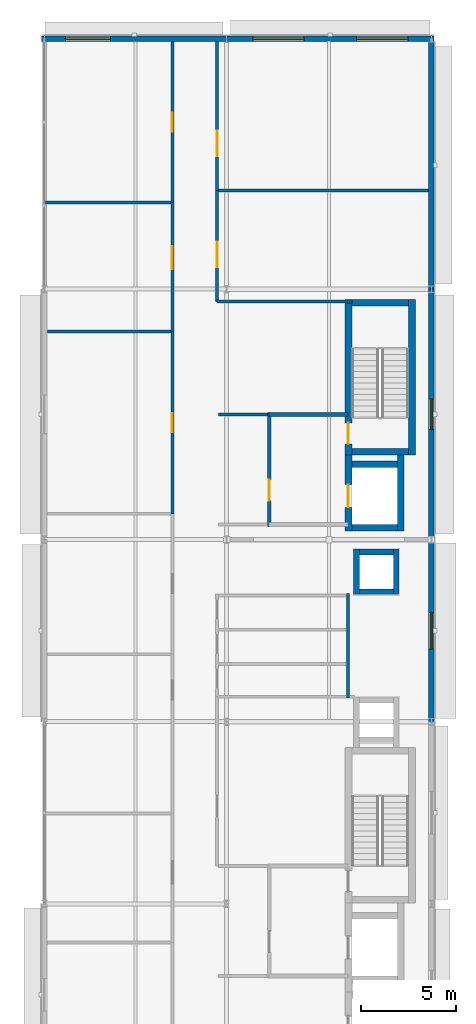
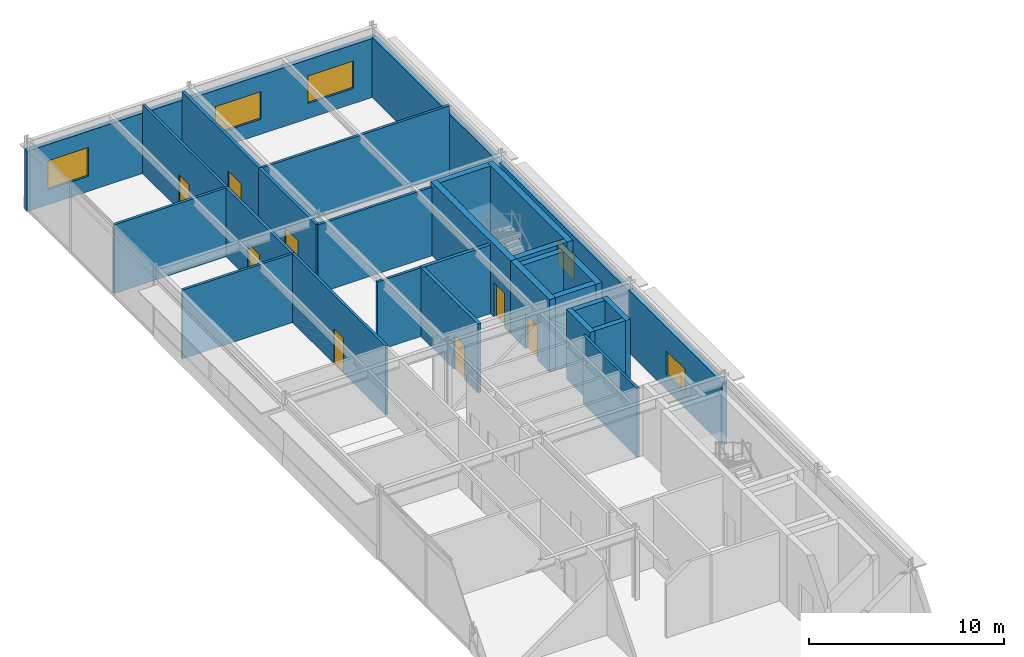
# One storey, part 13 of 17: 30 walls, 8 doors, 5 windows, 13 openings.
"""IFC4 building model written with IfcOpenShell, lengths in metres."""

from ifc_helpers import new_model, si_unit, direction, frame, frame_2d, origin, place, context, subcontext, project, spatial, rectangle, extrude, material, layer, layer_set, type_object, element, fill, save


model = new_model("IFC4")

# Units and contexts
model_context = context("Model", 3, precision=1e-05, world=origin(), true_north=direction((0.0, 1.0)))
body_context = subcontext(model_context, "Body", "Model", "MODEL_VIEW")
ifc_project = project(units=[si_unit("LENGTHUNIT", "METRE"), si_unit("AREAUNIT", "SQUARE_METRE"), si_unit("VOLUMEUNIT", "CUBIC_METRE"), si_unit("PLANEANGLEUNIT", "RADIAN"), si_unit("MASSUNIT", "GRAM", prefix="KILO")], contexts=[model_context])

# Site, building, storey
site_placement = place(None, origin())
site = spatial("IfcSite", under=ifc_project, at=site_placement, CompositionType="ELEMENT")
building_placement = place(site_placement, origin())
building = spatial("IfcBuilding", under=site, at=building_placement, Name="Almandine Court Research Institute", CompositionType="ELEMENT")
storey_placement = place(building_placement, frame((0.0, 0.0, 32.550048828125)))
storey = spatial("IfcBuildingStorey", under=building, at=storey_placement, Name="L07", CompositionType="ELEMENT", Elevation=32.550048828125)

# Wall, opening, window
ifc_material_1 = material(Name="Insulated Ochre Terracotta Rainscreen Wall", Category="masonry")
ifc_layer_1 = layer(ifc_material_1, 0.2900390625)
ifc_layer_set_1 = layer_set([ifc_layer_1], Name="Insulated Ochre Terracotta Rainscreen Wall")
wall_type_1 = type_object("IfcWallType", Name="Wall-EXT-TERR-290", PredefinedType="SOLIDWALL", material=ifc_layer_set_1)
wall_1_placement = place(storey_placement, frame((153.455078125, 70.800048828125, 0.0), z_axis=(0.0, 0.0, 1.0), x_axis=(1.0, 0.0, 0.0)))
wall_1 = element("IfcWall", 1, at=wall_1_placement, inside=storey, type_object=wall_type_1, Name="L07 Wet Lab North Wall 1", PredefinedType="SOLIDWALL", context=body_context, shape_type="SweptSolid", body=[
    extrude(rectangle(XDim=9.740966796875, YDim=0.2900390625, at=frame_2d((4.87060546875, 0.0))), origin(), (0.0, 0.0, 1.0), 3.762939453125),
])
opening_1_placement = place(wall_1_placement, frame((1.25, 0.0, 0.949951171875)))
opening_1 = element("IfcOpeningElement", 2, at=opening_1_placement, cuts=wall_1, Name="Opening WN-89", PredefinedType="OPENING", context=body_context, shape_type="SweptSolid", body=[
    extrude(rectangle(XDim=2.3701171875, YDim=1.800048828125, at=frame_2d((1.18505859375, 0.89990234375))), frame((0.0, 0.155029296875, 0.0), z_axis=(0.0, -1.0, 0.0), x_axis=(1.0, 0.0, 0.0)), (0.0, 0.0, 1.0), 0.31005859375),
])
ifc_material_2 = material(Name="Thermally Broken Low-E Double-Glazed Window", Category="glass")
window_type_1 = type_object("IfcWindowType", Name="Win-WN-89-2370x1800", PartitioningType="SINGLE_PANEL", PredefinedType="WINDOW", material=ifc_material_2)
window_1_placement = place(opening_1_placement, origin())
window_1 = element("IfcWindow", 3, at=window_1_placement, inside=storey, type_object=window_type_1, Name="L07 Modular Recessed Low-E Window 173", OverallHeight=1.800048828125, OverallWidth=2.3701171875, PartitioningType="SINGLE_PANEL", PredefinedType="WINDOW", context=body_context, shape_type="SweptSolid", body=[
    extrude(rectangle(XDim=2.3701171875, YDim=1.800048828125, at=frame_2d((1.18505859375, 0.89990234375))), frame((0.0, 0.030029296875, 0.0), z_axis=(0.0, -1.0, 0.0), x_axis=(1.0, 0.0, 0.0)), (0.0, 0.0, 1.0), 0.06005859375),
])
fill(opening_1, window_1)

# Wall, openings, windows
wall_2_placement = place(storey_placement, frame((163.2041015625, 70.800048828125, 0.0), z_axis=(0.0, 0.0, 1.0), x_axis=(1.0, 0.0, 0.0)))
wall_2 = element("IfcWall", 4, at=wall_2_placement, inside=storey, type_object=wall_type_1, Name="L07 Wet Lab North Wall 2", PredefinedType="SOLIDWALL", context=body_context, shape_type="SweptSolid", body=[
    extrude(rectangle(XDim=10.94091796875, YDim=0.2900390625, at=frame_2d((5.470458984375, 0.0))), origin(), (0.0, 0.0, 1.0), 3.68505859375),
])
opening_2_placement = place(wall_2_placement, frame((1.385009765625, 0.0, 0.949951171875)))
opening_2 = element("IfcOpeningElement", 5, at=opening_2_placement, cuts=wall_2, Name="Opening WN-77", PredefinedType="OPENING", context=body_context, shape_type="SweptSolid", body=[
    extrude(rectangle(XDim=2.699951171875, YDim=1.719970703125, at=frame_2d((1.35009765625, 0.85986328125))), frame((0.0, 0.155029296875, 0.0), z_axis=(0.0, -1.0, 0.0), x_axis=(1.0, 0.0, 0.0)), (0.0, 0.0, 1.0), 0.31005859375),
])
opening_3_placement = place(wall_2_placement, frame((6.85595703125, 0.0, 0.949951171875)))
opening_3 = element("IfcOpeningElement", 6, at=opening_3_placement, cuts=wall_2, Name="Opening WN-77", PredefinedType="OPENING", context=body_context, shape_type="SweptSolid", body=[
    extrude(rectangle(XDim=2.699951171875, YDim=1.719970703125, at=frame_2d((1.35009765625, 0.85986328125))), frame((0.0, 0.155029296875, 0.0), z_axis=(0.0, -1.0, 0.0), x_axis=(1.0, 0.0, 0.0)), (0.0, 0.0, 1.0), 0.31005859375),
])
window_type_2 = type_object("IfcWindowType", Name="Win-WN-77-2700x1720", PartitioningType="SINGLE_PANEL", PredefinedType="WINDOW", material=ifc_material_2)
window_2_placement = place(opening_2_placement, origin())
window_2 = element("IfcWindow", 7, at=window_2_placement, inside=storey, type_object=window_type_2, Name="L07 Modular Recessed Low-E Window 174", OverallHeight=1.719970703125, OverallWidth=2.699951171875, PartitioningType="SINGLE_PANEL", PredefinedType="WINDOW", context=body_context, shape_type="SweptSolid", body=[
    extrude(rectangle(XDim=2.699951171875, YDim=1.719970703125, at=frame_2d((1.35009765625, 0.85986328125))), frame((0.0, 0.030029296875, 0.0), z_axis=(0.0, -1.0, 0.0), x_axis=(1.0, 0.0, 0.0)), (0.0, 0.0, 1.0), 0.06005859375),
])
fill(opening_2, window_2)
window_3_placement = place(opening_3_placement, origin())
window_3 = element("IfcWindow", 8, at=window_3_placement, inside=storey, type_object=window_type_2, Name="L07 Modular Recessed Low-E Window 175", OverallHeight=1.719970703125, OverallWidth=2.699951171875, PartitioningType="SINGLE_PANEL", PredefinedType="WINDOW", context=body_context, shape_type="SweptSolid", body=[
    extrude(rectangle(XDim=2.699951171875, YDim=1.719970703125, at=frame_2d((1.35009765625, 0.85986328125))), frame((0.0, 0.030029296875, 0.0), z_axis=(0.0, -1.0, 0.0), x_axis=(1.0, 0.0, 0.0)), (0.0, 0.0, 1.0), 0.06005859375),
])
fill(opening_3, window_3)

# Wall
wall_3_placement = place(storey_placement, frame((174.0, 70.65087890625, 0.0), z_axis=(0.0, 0.0, 1.0), x_axis=(0.0, -1.0, 0.0)))
element("IfcWall", 9, at=wall_3_placement, inside=storey, type_object=wall_type_1, Name="L07 Wet Lab East Facade Wall 6", PredefinedType="SOLIDWALL", context=body_context, shape_type="SweptSolid", body=[
    extrude(rectangle(XDim=13.046875, YDim=0.2900390625, at=frame_2d((6.5234375, 0.0))), origin(), (0.0, 0.0, 1.0), 3.766845703125),
])

# Wall, opening, window
wall_4_placement = place(storey_placement, frame((174.0, 57.595947265625, 0.0), z_axis=(0.0, 0.0, 1.0), x_axis=(0.0, -1.0, 0.0)))
wall_4 = element("IfcWall", 10, at=wall_4_placement, inside=storey, type_object=wall_type_1, Name="L07 Wet Lab East Facade Wall 5", PredefinedType="SOLIDWALL", context=body_context, shape_type="SweptSolid", body=[
    extrude(rectangle(XDim=13.19189453125, YDim=0.2900390625, at=frame_2d((6.595947265625, 0.0))), origin(), (0.0, 0.0, 1.0), 3.829833984375),
])
opening_4_placement = place(wall_4_placement, frame((5.7958984375, 0.0, 0.949951171875)))
opening_4 = element("IfcOpeningElement", 11, at=opening_4_placement, cuts=wall_4, Name="Opening WN-90", PredefinedType="OPENING", context=body_context, shape_type="SweptSolid", body=[
    extrude(rectangle(XDim=1.60009765625, YDim=1.56005859375, at=frame_2d((0.800048828125, 0.780029296875))), frame((0.0, 0.155029296875, 0.0), z_axis=(0.0, -1.0, 0.0), x_axis=(1.0, 0.0, 0.0)), (0.0, 0.0, 1.0), 0.31005859375),
])
window_type_3 = type_object("IfcWindowType", Name="Win-WN-90-1600x1560", PartitioningType="SINGLE_PANEL", PredefinedType="WINDOW", material=ifc_material_2)
window_4_placement = place(opening_4_placement, origin())
window_4 = element("IfcWindow", 12, at=window_4_placement, inside=storey, type_object=window_type_3, Name="L07 Modular Recessed Low-E Window 176", OverallHeight=1.56005859375, OverallWidth=1.60009765625, PartitioningType="SINGLE_PANEL", PredefinedType="WINDOW", context=body_context, shape_type="SweptSolid", body=[
    extrude(rectangle(XDim=1.60009765625, YDim=1.56005859375, at=frame_2d((0.800048828125, 0.780029296875))), frame((0.0, 0.030029296875, 0.0), z_axis=(0.0, -1.0, 0.0), x_axis=(1.0, 0.0, 0.0)), (0.0, 0.0, 1.0), 0.06005859375),
])
fill(opening_4, window_4)

wall_5_placement = place(storey_placement, frame((174.0, 44.39599609375, 0.0), z_axis=(0.0, 0.0, 1.0), x_axis=(0.0, -1.0, 0.0)))
wall_5 = element("IfcWall", 13, at=wall_5_placement, inside=storey, type_object=wall_type_1, Name="L07 Wet Lab East Facade Wall 4", PredefinedType="SOLIDWALL", context=body_context, shape_type="SweptSolid", body=[
    extrude(rectangle(XDim=9.592041015625, YDim=0.2900390625, at=frame_2d((4.7958984375, 0.0))), origin(), (0.0, 0.0, 1.0), 3.89892578125),
])
opening_5_placement = place(wall_5_placement, frame((3.8310546875, 0.0, 0.949951171875)))
opening_5 = element("IfcOpeningElement", 14, at=opening_5_placement, cuts=wall_5, Name="Opening WN-91", PredefinedType="OPENING", context=body_context, shape_type="SweptSolid", body=[
    extrude(rectangle(XDim=1.929931640625, YDim=1.47998046875, at=frame_2d((0.96484375, 0.739990234375))), frame((0.0, 0.155029296875, 0.0), z_axis=(0.0, -1.0, 0.0), x_axis=(1.0, 0.0, 0.0)), (0.0, 0.0, 1.0), 0.31005859375),
])
window_type_4 = type_object("IfcWindowType", Name="Win-WN-91-1930x1480", PartitioningType="SINGLE_PANEL", PredefinedType="WINDOW", material=ifc_material_2)
window_5_placement = place(opening_5_placement, origin())
window_5 = element("IfcWindow", 15, at=window_5_placement, inside=storey, type_object=window_type_4, Name="L07 Modular Recessed Low-E Window 177", OverallHeight=1.47998046875, OverallWidth=1.929931640625, PartitioningType="SINGLE_PANEL", PredefinedType="WINDOW", context=body_context, shape_type="SweptSolid", body=[
    extrude(rectangle(XDim=1.929931640625, YDim=1.47998046875, at=frame_2d((0.96484375, 0.739990234375))), frame((0.0, 0.030029296875, 0.0), z_axis=(0.0, -1.0, 0.0), x_axis=(1.0, 0.0, 0.0)), (0.0, 0.0, 1.0), 0.06005859375),
])
fill(opening_5, window_5)

# Wall, opening, door
ifc_material_3 = material(Name="One-Hour Fire-Rated Laboratory Partition")
ifc_layer_2 = layer(ifc_material_3, 0.175048828125)
ifc_layer_set_2 = layer_set([ifc_layer_2], Name="One-Hour Fire-Rated Laboratory Partition")
wall_type_2 = type_object("IfcWallType", Name="Wall-FIRE-175", PredefinedType="PARTITIONING", material=ifc_layer_set_2)
wall_6_placement = place(storey_placement, frame((160.35009765625, 55.360107421875, 0.0), z_axis=(0.0, 0.0, 1.0), x_axis=(0.0, 1.0, 0.0)))
wall_6 = element("IfcWall", 16, at=wall_6_placement, inside=storey, type_object=wall_type_2, Name="L07 Interior Partition W-V4-L07-WW-6", PredefinedType="PARTITIONING", context=body_context, shape_type="SweptSolid", body=[
    extrude(rectangle(XDim=6.7998046875, YDim=0.175048828125, at=frame_2d((3.39990234375, 0.0))), origin(), (0.0, 0.0, 1.0), 4.300048828125),
])
opening_6_placement = place(wall_6_placement, frame((3.2900390625, 0.0, 0.0)))
opening_6 = element("IfcOpeningElement", 17, at=opening_6_placement, cuts=wall_6, Name="Opening FD-LAB", PredefinedType="OPENING", context=body_context, shape_type="SweptSolid", body=[
    extrude(rectangle(XDim=1.199951171875, YDim=2.199951171875, at=frame_2d((0.60009765625, 1.10009765625))), frame((0.0, 0.097412109375, 0.0), z_axis=(0.0, -1.0, 0.0), x_axis=(1.0, 0.0, 0.0)), (0.0, 0.0, 1.0), 0.195068359375),
])
ifc_material_4 = material(Name="Fire-Rated Laboratory Containment Door")
door_type_1 = type_object("IfcDoorType", Name="Door-FD-LAB-1200", OperationType="NOTDEFINED", PredefinedType="DOOR", material=ifc_material_4)
door_1_placement = place(opening_6_placement, origin())
door_1 = element("IfcDoor", 18, at=door_1_placement, inside=storey, type_object=door_type_1, Name="L07 Wet Chemistry Laboratory Door", OperationType="SINGLE_SWING_RIGHT", OverallHeight=2.199951171875, OverallWidth=1.199951171875, PredefinedType="DOOR", context=body_context, shape_type="SweptSolid", body=[
    extrude(rectangle(XDim=1.199951171875, YDim=2.199951171875, at=frame_2d((0.60009765625, 1.10009765625))), frame((0.0, 0.02490234375, 0.0), z_axis=(0.0, -1.0, 0.0), x_axis=(1.0, 0.0, 0.0)), (0.0, 0.0, 1.0), 0.050048828125),
])
fill(opening_6, door_1)

wall_7_placement = place(storey_placement, frame((162.699951171875, 56.949951171875, 0.0), z_axis=(0.0, 0.0, 1.0), x_axis=(0.0, 1.0, 0.0)))
wall_7 = element("IfcWall", 19, at=wall_7_placement, inside=storey, type_object=wall_type_2, Name="L07 Interior Partition W-V4-L07-EW-N1", PredefinedType="PARTITIONING", context=body_context, shape_type="SweptSolid", body=[
    extrude(rectangle(XDim=5.844970703125, YDim=0.175048828125, at=frame_2d((2.92236328125, 0.0))), origin(), (0.0, 0.0, 1.0), 4.300048828125),
])
opening_7_placement = place(wall_7_placement, frame((1.800048828125, 0.0, 0.0)))
opening_7 = element("IfcOpeningElement", 20, at=opening_7_placement, cuts=wall_7, Name="Opening FD-LB2", PredefinedType="OPENING", context=body_context, shape_type="SweptSolid", body=[
    extrude(rectangle(XDim=1.35009765625, YDim=2.199951171875, at=frame_2d((0.675048828125, 1.10009765625))), frame((0.0, 0.097412109375, 0.0), z_axis=(0.0, -1.0, 0.0), x_axis=(1.0, 0.0, 0.0)), (0.0, 0.0, 1.0), 0.195068359375),
])
ifc_material_5 = material(Name="Wide Fire-Rated Cleanroom and Lab Door")
door_type_2 = type_object("IfcDoorType", Name="Door-FD-LAB-1350", OperationType="NOTDEFINED", PredefinedType="DOOR", material=ifc_material_5)
door_2_placement = place(opening_7_placement, origin())
door_2 = element("IfcDoor", 21, at=door_2_placement, inside=storey, type_object=door_type_2, Name="L07 East Wet Chemistry Lab Door", OperationType="SINGLE_SWING_RIGHT", OverallHeight=2.199951171875, OverallWidth=1.35009765625, PredefinedType="DOOR", context=body_context, shape_type="SweptSolid", body=[
    extrude(rectangle(XDim=1.35009765625, YDim=2.199951171875, at=frame_2d((0.675048828125, 1.10009765625))), frame((0.0, 0.02490234375, 0.0), z_axis=(0.0, -1.0, 0.0), x_axis=(1.0, 0.0, 0.0)), (0.0, 0.0, 1.0), 0.050048828125),
])
fill(opening_7, door_2)

wall_8_placement = place(storey_placement, frame((162.699951171875, 62.794921875, 0.0), z_axis=(0.0, 0.0, 1.0), x_axis=(0.0, 1.0, 0.0)))
wall_8 = element("IfcWall", 22, at=wall_8_placement, inside=storey, type_object=wall_type_2, Name="L07 Interior Partition W-V4-L07-EW-N2", PredefinedType="PARTITIONING", context=body_context, shape_type="SweptSolid", body=[
    extrude(rectangle(XDim=7.844970703125, YDim=0.175048828125, at=frame_2d((3.92236328125, 0.0))), origin(), (0.0, 0.0, 1.0), 4.300048828125),
])
opening_8_placement = place(wall_8_placement, frame((1.800048828125, 0.0, 0.0)))
opening_8 = element("IfcOpeningElement", 23, at=opening_8_placement, cuts=wall_8, Name="Opening FD-LB2", PredefinedType="OPENING", context=body_context, shape_type="SweptSolid", body=[
    extrude(rectangle(XDim=1.35009765625, YDim=2.199951171875, at=frame_2d((0.675048828125, 1.10009765625))), frame((0.0, 0.097412109375, 0.0), z_axis=(0.0, -1.0, 0.0), x_axis=(1.0, 0.0, 0.0)), (0.0, 0.0, 1.0), 0.195068359375),
])
door_3_placement = place(opening_8_placement, origin())
door_3 = element("IfcDoor", 24, at=door_3_placement, inside=storey, type_object=door_type_2, Name="L07 East BSL-2 Lab Door", OperationType="SINGLE_SWING_LEFT", OverallHeight=2.199951171875, OverallWidth=1.35009765625, PredefinedType="DOOR", context=body_context, shape_type="SweptSolid", body=[
    extrude(rectangle(XDim=1.35009765625, YDim=2.199951171875, at=frame_2d((0.675048828125, 1.10009765625))), frame((0.0, 0.02490234375, 0.0), z_axis=(0.0, -1.0, 0.0), x_axis=(1.0, 0.0, 0.0)), (0.0, 0.0, 1.0), 0.050048828125),
])
fill(opening_8, door_3)

ifc_material_6 = material(Name="Two-Hour Fire-Barrier Enclosure Wall")
ifc_layer_3 = layer(ifc_material_6, 0.199951171875)
ifc_layer_set_3 = layer_set([ifc_layer_3], Name="Two-Hour Fire-Barrier Enclosure Wall")
wall_type_3 = type_object("IfcWallType", Name="Wall-FIRE-200", PredefinedType="SOLIDWALL", material=ifc_layer_set_3)
wall_9_placement = place(storey_placement, frame((165.449951171875, 45.10009765625, 0.0), z_axis=(0.0, 0.0, 1.0), x_axis=(0.0, 1.0, 0.0)))
wall_9 = element("IfcWall", 25, at=wall_9_placement, inside=storey, type_object=wall_type_3, Name="L07 Interior Partition W-FFL2-L07-W", PredefinedType="SOLIDWALL", context=body_context, shape_type="SweptSolid", body=[
    extrude(rectangle(XDim=6.0, YDim=0.199951171875, at=frame_2d((3.0, 0.0))), origin(), (0.0, 0.0, 1.0), 4.300048828125),
])
opening_9_placement = place(wall_9_placement, frame((1.35009765625, 0.0, 0.0)))
opening_9 = element("IfcOpeningElement", 26, at=opening_9_placement, cuts=wall_9, Name="Opening FD-FFL", PredefinedType="OPENING", context=body_context, shape_type="SweptSolid", body=[
    extrude(rectangle(XDim=1.10009765625, YDim=2.14990234375, at=frame_2d((0.550048828125, 1.074951171875))), frame((0.0, 0.10986328125, 0.0), z_axis=(0.0, -1.0, 0.0), x_axis=(1.0, 0.0, 0.0)), (0.0, 0.0, 1.0), 0.219970703125),
])
ifc_material_7 = material(Name="Smoke-Tight Firefighting Lobby Fire Door")
door_type_3 = type_object("IfcDoorType", Name="Door-FD-FFL-1100", OperationType="NOTDEFINED", PredefinedType="DOOR", material=ifc_material_7)
door_4_placement = place(opening_9_placement, origin())
door_4 = element("IfcDoor", 27, at=door_4_placement, inside=storey, type_object=door_type_3, Name="L07 Firefighting Lobby Fire Door 2", OperationType="SINGLE_SWING_LEFT", OverallHeight=2.14990234375, OverallWidth=1.10009765625, PredefinedType="DOOR", context=body_context, shape_type="SweptSolid", body=[
    extrude(rectangle(XDim=1.10009765625, YDim=2.14990234375, at=frame_2d((0.550048828125, 1.074951171875))), frame((0.0, 0.02490234375, 0.0), z_axis=(0.0, -1.0, 0.0), x_axis=(1.0, 0.0, 0.0)), (0.0, 0.0, 1.0), 0.050048828125),
])
fill(opening_9, door_4)

# Walls
wall_10_placement = place(storey_placement, frame((165.449951171875, 51.0, 0.0), z_axis=(0.0, 0.0, 1.0), x_axis=(1.0, 0.0, 0.0)))
element("IfcWall", 28, at=wall_10_placement, inside=storey, type_object=wall_type_3, Name="L07 Interior Partition W-FFL2-L07-N", PredefinedType="SOLIDWALL", context=body_context, shape_type="SweptSolid", body=[
    extrude(rectangle(XDim=4.150146484375, YDim=0.199951171875, at=frame_2d((2.0751953125, 0.0))), origin(), (0.0, 0.0, 1.0), 4.300048828125),
])
ifc_material_8 = material(Name="Acoustic Steel-Stud Gypsum Partition Wall", Category="steel")
ifc_layer_4 = layer(ifc_material_8, 0.14990234375)
ifc_layer_set_4 = layer_set([ifc_layer_4], Name="Acoustic Steel-Stud Gypsum Partition Wall")
wall_type_4 = type_object("IfcWallType", Name="Wall-PART-150", PredefinedType="PARTITIONING", material=ifc_layer_set_4)
wall_11_placement = place(storey_placement, frame((169.60009765625, 36.050048828125, 0.0), z_axis=(0.0, 0.0, 1.0), x_axis=(0.0, 1.0, 0.0)))
element("IfcWall", 29, at=wall_11_placement, inside=storey, type_object=wall_type_4, Name="L07 Interior Partition W-V4-L07-WCEAST", PredefinedType="PARTITIONING", context=body_context, shape_type="SweptSolid", body=[
    extrude(rectangle(XDim=5.5, YDim=0.14990234375, at=frame_2d((2.75, 0.0))), origin(), (0.0, 0.0, 1.0), 4.300048828125),
])

# Wall, opening, door
wall_12_placement = place(storey_placement, frame((160.35009765625, 45.760009765625, 0.0), z_axis=(0.0, 0.0, 1.0), x_axis=(0.0, 1.0, 0.0)))
wall_12 = element("IfcWall", 30, at=wall_12_placement, inside=storey, type_object=wall_type_4, Name="L07 Interior Partition W-V4-L07-WW-5", PredefinedType="PARTITIONING", context=body_context, shape_type="SweptSolid", body=[
    extrude(rectangle(XDim=9.60009765625, YDim=0.14990234375, at=frame_2d((4.800048828125, 0.0))), origin(), (0.0, 0.0, 1.0), 4.300048828125),
])
opening_10_placement = place(wall_12_placement, frame((4.300048828125, 0.0, 0.0)))
opening_10 = element("IfcOpeningElement", 31, at=opening_10_placement, cuts=wall_12, Name="Opening D-02", PredefinedType="OPENING", context=body_context, shape_type="SweptSolid", body=[
    extrude(rectangle(XDim=1.0, YDim=2.199951171875, at=frame_2d((0.5, 1.10009765625))), frame((0.0, 0.0849609375, 0.0), z_axis=(0.0, -1.0, 0.0), x_axis=(1.0, 0.0, 0.0)), (0.0, 0.0, 1.0), 0.169921875),
])
ifc_material_9 = material(Name="Solid-Core Timber Researcher Office Door", Category="wood")
door_type_4 = type_object("IfcDoorType", Name="Door-INT-1000", OperationType="NOTDEFINED", PredefinedType="DOOR", material=ifc_material_9)
door_5_placement = place(opening_10_placement, origin())
door_5 = element("IfcDoor", 32, at=door_5_placement, inside=storey, type_object=door_type_4, Name="L07 Write-up Office Door", OperationType="SINGLE_SWING_LEFT", OverallHeight=2.199951171875, OverallWidth=1.0, PredefinedType="DOOR", context=body_context, shape_type="SweptSolid", body=[
    extrude(rectangle(XDim=1.0, YDim=2.199951171875, at=frame_2d((0.5, 1.10009765625))), frame((0.0, 0.02490234375, 0.0), z_axis=(0.0, -1.0, 0.0), x_axis=(1.0, 0.0, 0.0)), (0.0, 0.0, 1.0), 0.050048828125),
])
fill(opening_10, door_5)

# Walls
wall_13_placement = place(storey_placement, frame((153.760009765625, 55.360107421875, 0.0), z_axis=(0.0, 0.0, 1.0), x_axis=(1.0, 0.0, 0.0)))
element("IfcWall", 33, at=wall_13_placement, inside=storey, type_object=wall_type_4, Name="L07 Interior Partition W-V4-L07-WDIV-5", PredefinedType="PARTITIONING", context=body_context, shape_type="SweptSolid", body=[
    extrude(rectangle(XDim=6.510009765625, YDim=0.14990234375, at=frame_2d((3.2548828125, 0.0))), origin(), (0.0, 0.0, 1.0), 4.300048828125),
])
wall_14_placement = place(storey_placement, frame((153.659912109375, 62.159912109375, 0.0), z_axis=(0.0, 0.0, 1.0), x_axis=(1.0, 0.0, 0.0)))
element("IfcWall", 34, at=wall_14_placement, inside=storey, type_object=wall_type_4, Name="L07 Interior Partition W-V4-L07-WDIV-6", PredefinedType="PARTITIONING", context=body_context, shape_type="SweptSolid", body=[
    extrude(rectangle(XDim=6.610107421875, YDim=0.14990234375, at=frame_2d((3.30517578125, 0.0))), origin(), (0.0, 0.0, 1.0), 4.300048828125),
])

# Wall, opening, door
wall_15_placement = place(storey_placement, frame((160.35009765625, 62.159912109375, 0.0), z_axis=(0.0, 0.0, 1.0), x_axis=(0.0, 1.0, 0.0)))
wall_15 = element("IfcWall", 35, at=wall_15_placement, inside=storey, type_object=wall_type_4, Name="L07 Interior Partition W-V4-L07-WW-7", PredefinedType="PARTITIONING", context=body_context, shape_type="SweptSolid", body=[
    extrude(rectangle(XDim=8.47998046875, YDim=0.14990234375, at=frame_2d((4.239990234375, 0.0))), origin(), (0.0, 0.0, 1.0), 4.300048828125),
])
opening_11_placement = place(wall_15_placement, frame((3.739990234375, 0.0, 0.0)))
opening_11 = element("IfcOpeningElement", 36, at=opening_11_placement, cuts=wall_15, Name="Opening D-02", PredefinedType="OPENING", context=body_context, shape_type="SweptSolid", body=[
    extrude(rectangle(XDim=1.0, YDim=2.199951171875, at=frame_2d((0.5, 1.10009765625))), frame((0.0, 0.0849609375, 0.0), z_axis=(0.0, -1.0, 0.0), x_axis=(1.0, 0.0, 0.0)), (0.0, 0.0, 1.0), 0.169921875),
])
door_6_placement = place(opening_11_placement, origin())
door_6 = element("IfcDoor", 37, at=door_6_placement, inside=storey, type_object=door_type_4, Name="L07 Faculty Study Door", OperationType="SINGLE_SWING_LEFT", OverallHeight=2.199951171875, OverallWidth=1.0, PredefinedType="DOOR", context=body_context, shape_type="SweptSolid", body=[
    extrude(rectangle(XDim=1.0, YDim=2.199951171875, at=frame_2d((0.5, 1.10009765625))), frame((0.0, 0.02490234375, 0.0), z_axis=(0.0, -1.0, 0.0), x_axis=(1.0, 0.0, 0.0)), (0.0, 0.0, 1.0), 0.050048828125),
])
fill(opening_11, door_6)

# Walls
wall_16_placement = place(storey_placement, frame((162.699951171875, 56.949951171875, 0.0), z_axis=(0.0, 0.0, 1.0), x_axis=(1.0, 0.0, 0.0)))
element("IfcWall", 38, at=wall_16_placement, inside=storey, type_object=wall_type_4, Name="L07 Interior Partition W-V4-L07-ES-N1", PredefinedType="PARTITIONING", context=body_context, shape_type="SweptSolid", body=[
    extrude(rectangle(XDim=7.10009765625, YDim=0.14990234375, at=frame_2d((3.550048828125, 0.0))), origin(), (0.0, 0.0, 1.0), 4.300048828125),
])
wall_17_placement = place(storey_placement, frame((162.7900390625, 62.794921875, 0.0), z_axis=(0.0, 0.0, 1.0), x_axis=(1.0, 0.0, 0.0)))
element("IfcWall", 39, at=wall_17_placement, inside=storey, type_object=wall_type_4, Name="L07 Interior Partition W-V4-L07-EDIV-N", PredefinedType="PARTITIONING", context=body_context, shape_type="SweptSolid", body=[
    extrude(rectangle(XDim=11.050048828125, YDim=0.14990234375, at=frame_2d((5.52490234375, 0.0))), origin(), (0.0, 0.0, 1.0), 4.300048828125),
])
wall_18_placement = place(storey_placement, frame((162.780029296875, 51.0, 0.0), z_axis=(0.0, 0.0, 1.0), x_axis=(1.0, 0.0, 0.0)))
element("IfcWall", 40, at=wall_18_placement, inside=storey, type_object=wall_type_4, Name="L07 Interior Partition W-V4-L07-FFL2-CN", PredefinedType="PARTITIONING", context=body_context, shape_type="SweptSolid", body=[
    extrude(rectangle(XDim=2.570068359375, YDim=0.14990234375, at=frame_2d((1.28515625, 0.0))), origin(), (0.0, 0.0, 1.0), 4.300048828125),
])
ifc_material_10 = material(Name="Concrete C40/50", Category="concrete")
ifc_layer_5 = layer(ifc_material_10, 0.300048828125)
ifc_layer_set_5 = layer_set([ifc_layer_5], Name="Concrete C40/50")
wall_type_5 = type_object("IfcWallType", Name="Wall-SW-CORE-300", PredefinedType="SHEAR", material=ifc_layer_set_5)
wall_19_placement = place(storey_placement, frame((170.050048828125, 41.5, 0.0), z_axis=(0.0, 0.0, 1.0), x_axis=(0.0, 1.0, 0.0)))
element("IfcWall", 41, at=wall_19_placement, inside=storey, type_object=wall_type_5, Name="L07 MEP Riser RS-V4B W Shear Wall", PredefinedType="SHEAR", context=body_context, shape_type="SweptSolid", body=[
    extrude(rectangle(XDim=2.39990234375, YDim=0.300048828125, at=frame_2d((1.199951171875, 0.0))), origin(), (0.0, 0.0, 1.0), 4.369873046875),
])
wall_20_placement = place(storey_placement, frame((170.199951171875, 43.75, 0.0), z_axis=(0.0, 0.0, 1.0), x_axis=(1.0, 0.0, 0.0)))
element("IfcWall", 42, at=wall_20_placement, inside=storey, type_object=wall_type_5, Name="L07 MEP Riser RS-V4B N Shear Wall", PredefinedType="SHEAR", context=body_context, shape_type="SweptSolid", body=[
    extrude(rectangle(XDim=1.800048828125, YDim=0.300048828125, at=frame_2d((0.89990234375, 0.0))), origin(), (0.0, 0.0, 1.0), 4.369873046875),
])
wall_21_placement = place(storey_placement, frame((172.14990234375, 43.89990234375, 0.0), z_axis=(0.0, 0.0, 1.0), x_axis=(0.0, -1.0, 0.0)))
element("IfcWall", 43, at=wall_21_placement, inside=storey, type_object=wall_type_5, Name="L07 MEP Riser RS-V4B E Shear Wall", PredefinedType="SHEAR", context=body_context, shape_type="SweptSolid", body=[
    extrude(rectangle(XDim=2.39990234375, YDim=0.300048828125, at=frame_2d((1.199951171875, 0.0))), origin(), (0.0, 0.0, 1.0), 4.369873046875),
])
wall_22_placement = place(storey_placement, frame((172.0, 41.64990234375, 0.0), z_axis=(0.0, 0.0, 1.0), x_axis=(-1.0, 0.0, 0.0)))
element("IfcWall", 44, at=wall_22_placement, inside=storey, type_object=wall_type_5, Name="L07 MEP Riser RS-V4B S Shear Wall", PredefinedType="SHEAR", context=body_context, shape_type="SweptSolid", body=[
    extrude(rectangle(XDim=1.800048828125, YDim=0.300048828125, at=frame_2d((0.89990234375, 0.0))), origin(), (0.0, 0.0, 1.0), 4.369873046875),
])

# Wall, opening, door
ifc_layer_6 = layer(ifc_material_10, 0.35009765625)
ifc_layer_set_6 = layer_set([ifc_layer_6], Name="Concrete C40/50")
wall_type_6 = type_object("IfcWallType", Name="Wall-SW-CORE-350", PredefinedType="SHEAR", material=ifc_layer_set_6)
wall_23_placement = place(storey_placement, frame((169.625, 48.85009765625, 0.0), z_axis=(0.0, 0.0, 1.0), x_axis=(0.0, 1.0, 0.0)))
wall_23 = element("IfcWall", 45, at=wall_23_placement, inside=storey, type_object=wall_type_6, Name="L07 ST-08 W Shear Wall", PredefinedType="SHEAR", context=body_context, shape_type="SweptSolid", body=[
    extrude(rectangle(XDim=8.199951171875, YDim=0.35009765625, at=frame_2d((4.10009765625, 0.0))), origin(), (0.0, 0.0, 1.0), 4.550048828125),
])
opening_12_placement = place(wall_23_placement, frame((0.60009765625, 0.0, 0.0)))
opening_12 = element("IfcOpeningElement", 46, at=opening_12_placement, cuts=wall_23, Name="Opening FD-STAIR", PredefinedType="OPENING", context=body_context, shape_type="SweptSolid", body=[
    extrude(rectangle(XDim=1.10009765625, YDim=2.14990234375, at=frame_2d((0.550048828125, 1.074951171875))), frame((0.0, 0.18505859375, 0.0), z_axis=(0.0, -1.0, 0.0), x_axis=(1.0, 0.0, 0.0)), (0.0, 0.0, 1.0), 0.3701171875),
])
ifc_material_11 = material(Name="Self-Closing Steel Exit Stair Fire Door", Category="steel")
door_type_5 = type_object("IfcDoorType", Name="Door-FD-STAIR-1100", OperationType="NOTDEFINED", PredefinedType="DOOR", material=ifc_material_11)
door_7_placement = place(opening_12_placement, origin())
door_7 = element("IfcDoor", 47, at=door_7_placement, inside=storey, type_object=door_type_5, Name="L07 Exit Stair ST-08 Fire Door", OperationType="SINGLE_SWING_RIGHT", OverallHeight=2.14990234375, OverallWidth=1.10009765625, PredefinedType="DOOR", context=body_context, shape_type="SweptSolid", body=[
    extrude(rectangle(XDim=1.10009765625, YDim=2.14990234375, at=frame_2d((0.550048828125, 1.074951171875))), frame((0.0, 0.02490234375, 0.0), z_axis=(0.0, -1.0, 0.0), x_axis=(1.0, 0.0, 0.0)), (0.0, 0.0, 1.0), 0.050048828125),
])
fill(opening_12, door_7)

# Walls
wall_24_placement = place(storey_placement, frame((169.800048828125, 56.875, 0.0), z_axis=(0.0, 0.0, 1.0), x_axis=(1.0, 0.0, 0.0)))
element("IfcWall", 48, at=wall_24_placement, inside=storey, type_object=wall_type_6, Name="L07 ST-08 N Shear Wall", PredefinedType="SHEAR", context=body_context, shape_type="SweptSolid", body=[
    extrude(rectangle(XDim=3.0, YDim=0.35009765625, at=frame_2d((1.5, 0.0))), origin(), (0.0, 0.0, 1.0), 4.550048828125),
])
wall_25_placement = place(storey_placement, frame((172.97509765625, 57.050048828125, 0.0), z_axis=(0.0, 0.0, 1.0), x_axis=(0.0, -1.0, 0.0)))
element("IfcWall", 49, at=wall_25_placement, inside=storey, type_object=wall_type_6, Name="L07 ST-08 E Shear Wall", PredefinedType="SHEAR", context=body_context, shape_type="SweptSolid", body=[
    extrude(rectangle(XDim=8.199951171875, YDim=0.35009765625, at=frame_2d((4.10009765625, 0.0))), origin(), (0.0, 0.0, 1.0), 4.550048828125),
])
wall_26_placement = place(storey_placement, frame((172.800048828125, 49.02490234375, 0.0), z_axis=(0.0, 0.0, 1.0), x_axis=(-1.0, 0.0, 0.0)))
element("IfcWall", 50, at=wall_26_placement, inside=storey, type_object=wall_type_6, Name="L07 ST-08 S Shear Wall", PredefinedType="SHEAR", context=body_context, shape_type="SweptSolid", body=[
    extrude(rectangle(XDim=3.0, YDim=0.35009765625, at=frame_2d((1.5, 0.0))), origin(), (0.0, 0.0, 1.0), 4.550048828125),
])

# Wall, opening, door
wall_27_placement = place(storey_placement, frame((169.625, 44.85009765625, 0.0), z_axis=(0.0, 0.0, 1.0), x_axis=(0.0, 1.0, 0.0)))
wall_27 = element("IfcWall", 51, at=wall_27_placement, inside=storey, type_object=wall_type_6, Name="L07 FL-02 Hoistway W Shear Wall", PredefinedType="SHEAR", context=body_context, shape_type="SweptSolid", body=[
    extrude(rectangle(XDim=4.0, YDim=0.35009765625, at=frame_2d((2.0, 0.0))), origin(), (0.0, 0.0, 1.0), 4.550048828125),
])
opening_13_placement = place(wall_27_placement, frame((1.25, 0.0, 0.0)))
opening_13 = element("IfcOpeningElement", 52, at=opening_13_placement, cuts=wall_27, Name="Opening LD-02", PredefinedType="OPENING", context=body_context, shape_type="SweptSolid", body=[
    extrude(rectangle(XDim=1.199951171875, YDim=2.14990234375, at=frame_2d((0.60009765625, 1.074951171875))), frame((0.0, 0.18505859375, 0.0), z_axis=(0.0, -1.0, 0.0), x_axis=(1.0, 0.0, 0.0)), (0.0, 0.0, 1.0), 0.3701171875),
])
ifc_material_12 = material(Name="Firefighting Lift Landing Sliding Door")
door_type_6 = type_object("IfcDoorType", Name="Door-LD-FSAE-1200", OperationType="SLIDING_TO_LEFT", PredefinedType="USERDEFINED", material=ifc_material_12)
door_8_placement = place(opening_13_placement, origin())
door_8 = element("IfcDoor", 53, at=door_8_placement, inside=storey, type_object=door_type_6, Name="L07 Firefighting Lift FL-02 Sliding Landing Door", ObjectType="LANDING DOOR", OperationType="SLIDING_TO_LEFT", OverallHeight=2.14990234375, OverallWidth=1.199951171875, PredefinedType="USERDEFINED", context=body_context, shape_type="SweptSolid", body=[
    extrude(rectangle(XDim=1.199951171875, YDim=2.14990234375, at=frame_2d((0.60009765625, 1.074951171875))), frame((0.0, 0.02490234375, 0.0), z_axis=(0.0, -1.0, 0.0), x_axis=(1.0, 0.0, 0.0)), (0.0, 0.0, 1.0), 0.050048828125),
])
fill(opening_13, door_8)

# Walls
wall_28_placement = place(storey_placement, frame((169.800048828125, 48.375, 0.0), z_axis=(0.0, 0.0, 1.0), x_axis=(1.0, 0.0, 0.0)))
element("IfcWall", 54, at=wall_28_placement, inside=storey, type_object=wall_type_6, Name="L07 FL-02 Hoistway N Shear Wall", PredefinedType="SHEAR", context=body_context, shape_type="SweptSolid", body=[
    extrude(rectangle(XDim=2.39990234375, YDim=0.35009765625, at=frame_2d((1.199951171875, 0.0))), origin(), (0.0, 0.0, 1.0), 4.550048828125),
])
wall_29_placement = place(storey_placement, frame((172.375, 48.85009765625, 0.0), z_axis=(0.0, 0.0, 1.0), x_axis=(0.0, -1.0, 0.0)))
element("IfcWall", 55, at=wall_29_placement, inside=storey, type_object=wall_type_6, Name="L07 FL-02 Hoistway E Shear Wall", PredefinedType="SHEAR", context=body_context, shape_type="SweptSolid", body=[
    extrude(rectangle(XDim=4.0, YDim=0.35009765625, at=frame_2d((2.0, 0.0))), origin(), (0.0, 0.0, 1.0), 4.550048828125),
])
wall_30_placement = place(storey_placement, frame((172.199951171875, 45.02490234375, 0.0), z_axis=(0.0, 0.0, 1.0), x_axis=(-1.0, 0.0, 0.0)))
element("IfcWall", 56, at=wall_30_placement, inside=storey, type_object=wall_type_6, Name="L07 FL-02 Hoistway S Shear Wall", PredefinedType="SHEAR", context=body_context, shape_type="SweptSolid", body=[
    extrude(rectangle(XDim=2.39990234375, YDim=0.35009765625, at=frame_2d((1.199951171875, 0.0))), origin(), (0.0, 0.0, 1.0), 4.550048828125),
])

save(model, "model.ifc")
